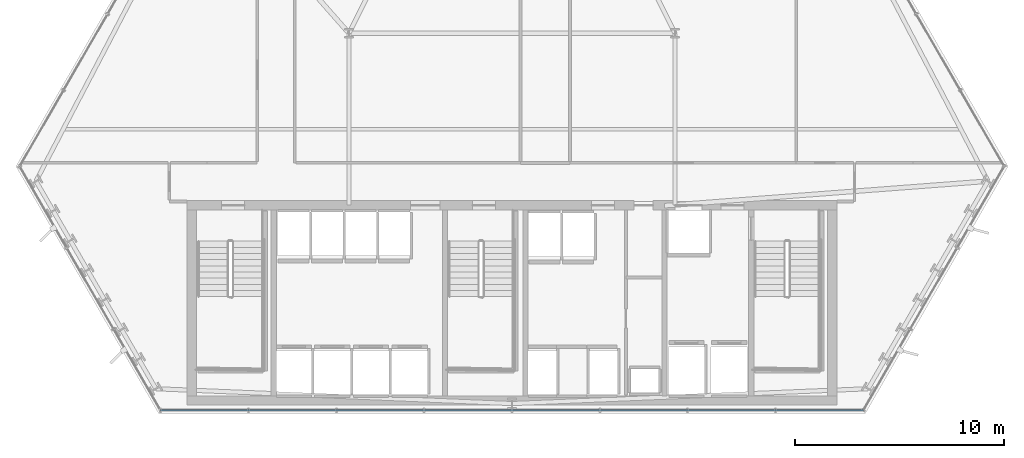
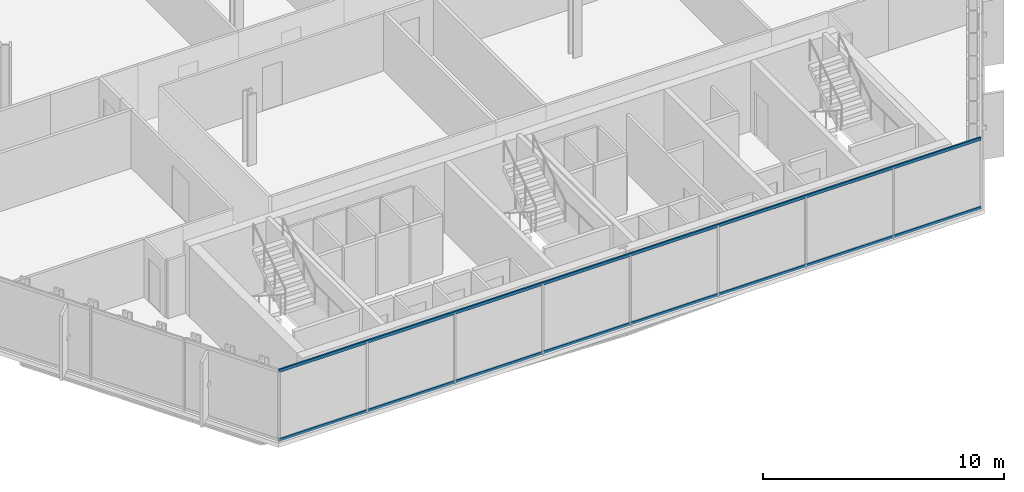
# One storey, part 8 of 31: 2 members, 1 element without a shape of its own.
"""IFC4 building model written with IfcOpenShell, lengths in metres."""

from ifc_helpers import new_model, si_unit, direction, frame, origin, origin_2d, place, context, subcontext, project, spatial, hollow_rectangle, extrude, material, layer, layer_set, material_profile, profile_set, type_object, element, aggregate, save


model = new_model("IFC4")

# Units and contexts
model_context = context("Model", 3, precision=1e-05, world=origin(), true_north=direction((0.0, 1.0)))
body_context = subcontext(model_context, "Body", "Model", "MODEL_VIEW")
ifc_project = project(units=[si_unit("LENGTHUNIT", "METRE"), si_unit("AREAUNIT", "SQUARE_METRE"), si_unit("VOLUMEUNIT", "CUBIC_METRE"), si_unit("PLANEANGLEUNIT", "RADIAN"), si_unit("MASSUNIT", "GRAM", prefix="KILO")], contexts=[model_context])

# Site, building, storey
site_placement = place(None, origin())
site = spatial("IfcSite", under=ifc_project, at=site_placement, CompositionType="ELEMENT")
building_placement = place(site_placement, origin())
building = spatial("IfcBuilding", under=site, at=building_placement, Name="Ndaravel Arena Tower", CompositionType="ELEMENT")
storey_placement = place(building_placement, frame((0.0, 0.0, 104.39990234375)))
storey = spatial("IfcBuildingStorey", under=building, at=storey_placement, Name="L24", CompositionType="ELEMENT", Elevation=104.39990234375)

# Curtain wall, members
ifc_material_1 = material(Name="Aluminium", Category="aluminium")
ifc_layer = layer(ifc_material_1, 0.179931640625)
ifc_layer_set = layer_set([ifc_layer], Name="Aluminium")
curtain_wall_type = type_object("IfcCurtainWallType", Name="CW-SYS-03", PredefinedType="NOTDEFINED", material=ifc_layer_set)
curtain_wall_placement = place(storey_placement, origin())
curtain_wall = element("IfcCurtainWall", 1, at=curtain_wall_placement, inside=storey, type_object=curtain_wall_type, Name="L24 Faceted Crystal Curtain Wall CW-L24-E01", PredefinedType="NOTDEFINED")
ifc_material_2 = material(Name="Aluminium", Category="aluminium")
ifc_material_profile = material_profile(ifc_material_2, hollow_rectangle(XDim=0.074951171875, YDim=0.14990234375, WallThickness=0.00390625, at=origin_2d()), Name="CW TRANSOM 75x150x4")
ifc_profile_set = profile_set([ifc_material_profile], Name="Aluminium")
member_type = type_object("IfcMemberType", Name="MEM-CW-TRN150", PredefinedType="USERDEFINED", material=ifc_profile_set)
member_1_placement = place(storey_placement, frame((25.181884765625, 5.159912109375, 0.0400390625), z_axis=(1.0, 0.0, 0.0), x_axis=(0.0, 1.0, 0.0)))
member_1 = element("IfcMember", 2, at=member_1_placement, type_object=member_type, Name="CW-L24-E01 Transom 01", ObjectType="TRANSOM", PredefinedType="USERDEFINED", context=body_context, shape_type="SweptSolid", body=[
    extrude(hollow_rectangle(XDim=0.074951171875, YDim=0.14990234375, WallThickness=0.00390625, at=origin_2d()), origin(), (0.0, 0.0, 1.0), 33.63623046875),
])
member_2_placement = place(storey_placement, frame((25.181884765625, 5.159912109375, 3.5400390625), z_axis=(1.0, 0.0, 0.0), x_axis=(0.0, 1.0, 0.0)))
member_2 = element("IfcMember", 3, at=member_2_placement, type_object=member_type, Name="CW-L24-E01 Transom 02", ObjectType="TRANSOM", PredefinedType="USERDEFINED", context=body_context, shape_type="SweptSolid", body=[
    extrude(hollow_rectangle(XDim=0.074951171875, YDim=0.14990234375, WallThickness=0.00390625, at=origin_2d()), origin(), (0.0, 0.0, 1.0), 33.63623046875),
])
aggregate(curtain_wall, [member_1, member_2])

save(model, "model.ifc")
